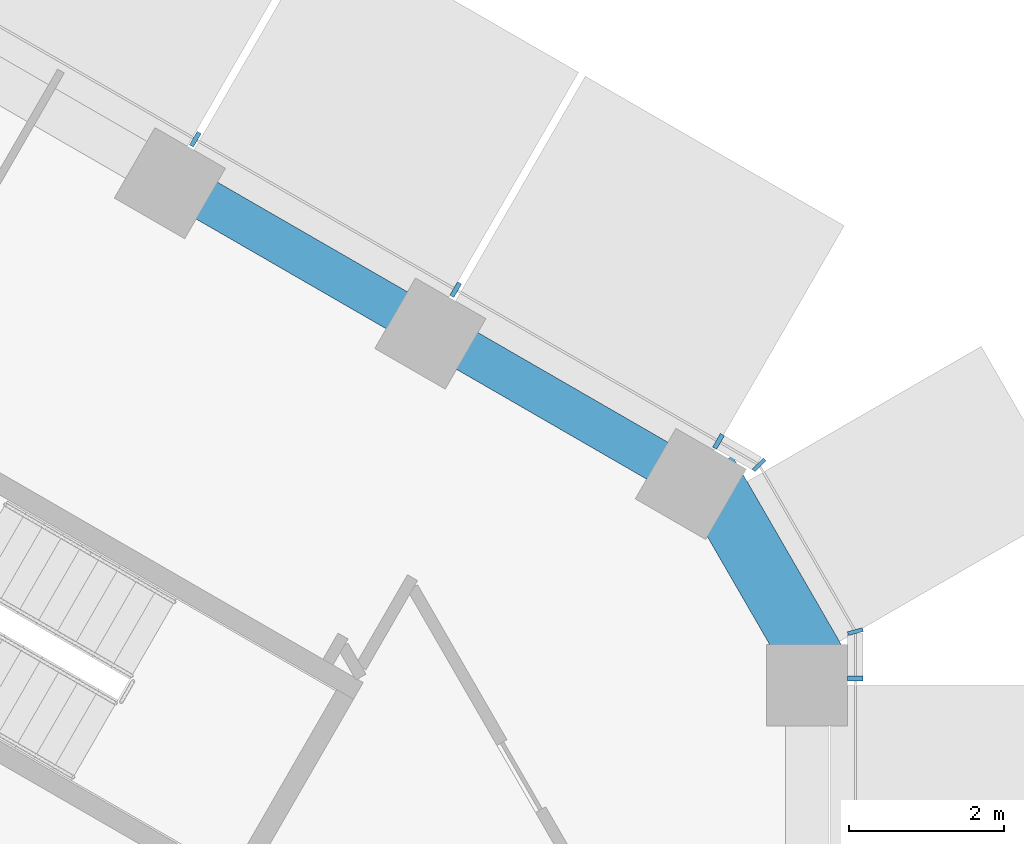
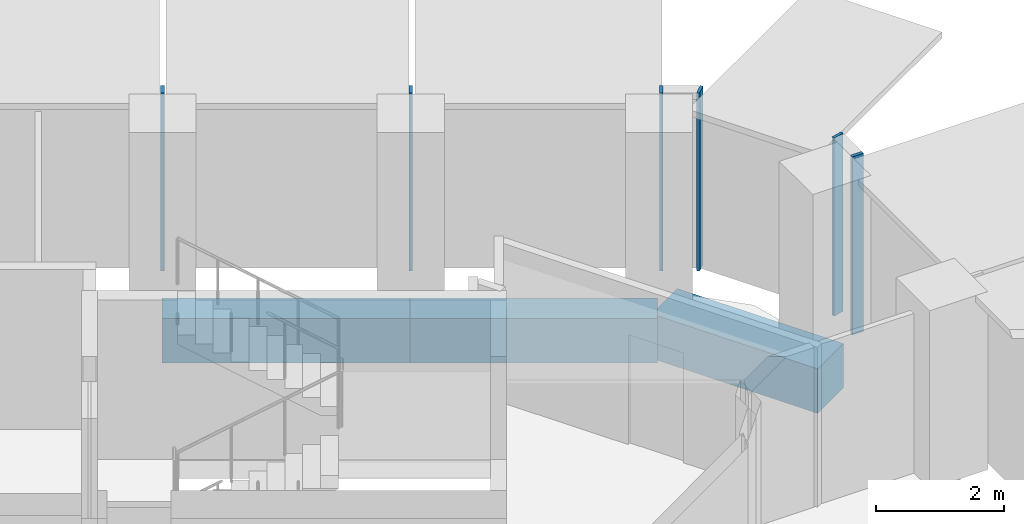
# One storey, part 7 of 19: 6 members, 3 beams, 3 elements without a shape of their own.
"""IFC4 building model written with IfcOpenShell, lengths in metres."""

from ifc_helpers import new_model, si_unit, direction, frame, origin, origin_2d, place, context, subcontext, project, spatial, rectangle, extrude, material, layer, layer_set, material_profile, profile_set, type_object, element, aggregate, save


model = new_model("IFC4")

# Units and contexts
model_context = context("Model", 3, precision=1e-05, world=origin(), true_north=direction((0.0, 1.0)))
body_context = subcontext(model_context, "Body", "Model", "MODEL_VIEW")
ifc_project = project(units=[si_unit("LENGTHUNIT", "METRE"), si_unit("AREAUNIT", "SQUARE_METRE"), si_unit("VOLUMEUNIT", "CUBIC_METRE"), si_unit("PLANEANGLEUNIT", "RADIAN"), si_unit("MASSUNIT", "GRAM", prefix="KILO")], contexts=[model_context])

# Site, building, storey
site_placement = place(None, origin())
site = spatial("IfcSite", under=ifc_project, at=site_placement, CompositionType="ELEMENT")
building_placement = place(site_placement, origin())
building = spatial("IfcBuilding", under=site, at=building_placement, Name="Ayvan Gate Tower", CompositionType="ELEMENT")
storey_placement = place(building_placement, frame((0.0, 0.0, 100.10009765625)))
storey = spatial("IfcBuildingStorey", under=building, at=storey_placement, Name="L26", CompositionType="ELEMENT", Elevation=100.10009765625)

# Beams
ifc_material_1 = material(Name="Concrete C40/50", Category="concrete")
ifc_material_profile_1 = material_profile(ifc_material_1, rectangle(XDim=0.800048828125, YDim=0.85009765625, at=origin_2d()), Name="RC 800x850")
ifc_profile_set_1 = profile_set([ifc_material_profile_1], Name="Concrete C40/50")
beam_type_1 = type_object("IfcBeamType", Name="Corner spandrel beam RC 800x850 C40/50", PredefinedType="BEAM", material=ifc_profile_set_1)
beam_placement = place(storey_placement, frame((19.676025390625, 9.301025390625, -0.775146484375), z_axis=(-0.50002537861, 0.866010750942, 0.0), x_axis=(-0.866010750942, -0.50002537861, 0.0)))
element("IfcBeam", 1, at=beam_placement, inside=storey, type_object=beam_type_1, Name="SB-L26-6", PredefinedType="BEAM", context=body_context, shape_type="SweptSolid", body=[
    extrude(rectangle(XDim=0.800048828125, YDim=0.85009765625, at=origin_2d()), origin(), (0.0, 0.0, 1.0), 2.999755859375),
])
ifc_material_profile_2 = material_profile(ifc_material_1, rectangle(XDim=0.550048828125, YDim=0.85009765625, at=origin_2d()), Name="RC 550x850")
ifc_profile_set_2 = profile_set([ifc_material_profile_2], Name="Concrete C40/50")
beam_type_2 = type_object("IfcBeamType", Name="Spandrel beam RC 550x850 C40/50", PredefinedType="BEAM", material=ifc_profile_set_2)
for number, where, z_axis, x_axis, name in (
    (2, (17.985595703125, 11.7890625, -0.775146484375), (-0.866027059381, 0.499997132412, 0.0), (-0.499997132412, -0.866027059381, 0.0), "SB-L26-7"),
    (3, (14.6318359375, 13.725341796875, -0.775146484375), (-0.866027059381, 0.499997132412, 0.0), (-0.499997132412, -0.866027059381, 0.0), "SB-L26-8"),
):
    element("IfcBeam", number, at=place(storey_placement, frame(where, z_axis=z_axis, x_axis=x_axis)), inside=storey, type_object=beam_type_2, Name=name, PredefinedType="BEAM", context=body_context, shape_type="SweptSolid", body=[
        extrude(rectangle(XDim=0.550048828125, YDim=0.85009765625, at=origin_2d()), origin(), (0.0, 0.0, 1.0), 3.87255859375),
    ])

# Curtain wall, member
ifc_material_2 = material(Name="Bronze anodised aluminium", Category="aluminium")
ifc_layer_1 = layer(ifc_material_2, 0.199951171875)
ifc_layer_set_1 = layer_set([ifc_layer_1], Name="Bronze anodised aluminium")
curtain_wall_type_1 = type_object("IfcCurtainWallType", Name="Stick curtain wall CW-1", PredefinedType="NOTDEFINED", material=ifc_layer_set_1)
curtain_wall_1_placement = place(storey_placement, origin())
curtain_wall_1 = element("IfcCurtainWall", 4, at=curtain_wall_1_placement, inside=storey, type_object=curtain_wall_type_1, Name="Stick curtain wall CW-1 L26", PredefinedType="NOTDEFINED")
ifc_material_profile_3 = material_profile(ifc_material_2, rectangle(XDim=0.199951171875, YDim=0.06005859375, at=origin_2d()), Name="Stick curtain wall CW-1 mullion 200 x 60")
ifc_profile_set_3 = profile_set([ifc_material_profile_3], Name="Bronze anodised aluminium")
member_type_1 = type_object("IfcMemberType", Name="Stick curtain wall CW-1 mullion 200 x 60", PredefinedType="MULLION", material=ifc_profile_set_3)
member_1_placement = place(storey_placement, frame((20.110595703125, 9.2275390625, 0.0), z_axis=(0.0, 0.0, 1.0), x_axis=(1.0, 0.0, 0.0)))
member_1 = element("IfcMember", 5, at=member_1_placement, type_object=member_type_1, Name="CW-1 mullion 6", PredefinedType="MULLION", context=body_context, shape_type="SweptSolid", body=[
    extrude(rectangle(XDim=0.199951171875, YDim=0.06005859375, at=origin_2d()), origin(), (0.0, 0.0, 1.0), 3.39990234375),
])
aggregate(curtain_wall_1, [member_1])

# Curtain wall, members
curtain_wall_2_placement = place(storey_placement, origin())
curtain_wall_2 = element("IfcCurtainWall", 6, at=curtain_wall_2_placement, inside=storey, type_object=curtain_wall_type_1, Name="Stick curtain wall CW-1 L26", PredefinedType="NOTDEFINED")
member_2_placement = place(storey_placement, frame((18.34326171875, 12.28857421875, 0.0), z_axis=(0.0, 0.0, 1.0), x_axis=(0.5, 0.866025403784, 0.0)))
member_2 = element("IfcMember", 7, at=member_2_placement, type_object=member_type_1, Name="CW-1 mullion 1", PredefinedType="MULLION", context=body_context, shape_type="SweptSolid", body=[
    extrude(rectangle(XDim=0.199951171875, YDim=0.06005859375, at=origin_2d()), origin(), (0.0, 0.0, 1.0), 3.39990234375),
])
member_3_placement = place(storey_placement, frame((14.9501953125, 14.24755859375, 0.0), z_axis=(0.0, 0.0, 1.0), x_axis=(0.5, 0.866025403784, 0.0)))
member_3 = element("IfcMember", 8, at=member_3_placement, type_object=member_type_1, Name="CW-1 mullion 2", PredefinedType="MULLION", context=body_context, shape_type="SweptSolid", body=[
    extrude(rectangle(XDim=0.199951171875, YDim=0.06005859375, at=origin_2d()), origin(), (0.0, 0.0, 1.0), 3.39990234375),
])
member_4_placement = place(storey_placement, frame((11.58837890625, 16.1884765625, 0.0), z_axis=(0.0, 0.0, 1.0), x_axis=(0.5, 0.866025403784, 0.0)))
member_4 = element("IfcMember", 9, at=member_4_placement, type_object=member_type_1, Name="CW-1 mullion 3", PredefinedType="MULLION", context=body_context, shape_type="SweptSolid", body=[
    extrude(rectangle(XDim=0.199951171875, YDim=0.06005859375, at=origin_2d()), origin(), (0.0, 0.0, 1.0), 3.39990234375),
])
aggregate(curtain_wall_2, [member_2, member_3, member_4])

ifc_layer_2 = layer(ifc_material_2, 0.199951171875)
ifc_layer_set_2 = layer_set([ifc_layer_2], Name="Bronze anodised aluminium")
curtain_wall_type_2 = type_object("IfcCurtainWallType", Name="Stick curtain wall CW-6", PredefinedType="NOTDEFINED", material=ifc_layer_set_2)
curtain_wall_3_placement = place(storey_placement, origin())
curtain_wall_3 = element("IfcCurtainWall", 10, at=curtain_wall_3_placement, inside=storey, type_object=curtain_wall_type_2, Name="Stick curtain wall CW-6 L26", PredefinedType="NOTDEFINED")
ifc_material_profile_4 = material_profile(ifc_material_2, rectangle(XDim=0.199951171875, YDim=0.050048828125, at=origin_2d()), Name="Stick curtain wall CW-6 mullion 200 x 50")
ifc_profile_set_4 = profile_set([ifc_material_profile_4], Name="Bronze anodised aluminium")
member_type_2 = type_object("IfcMemberType", Name="Stick curtain wall CW-6 mullion 200 x 50", PredefinedType="MULLION", material=ifc_profile_set_4)
member_5_placement = place(storey_placement, frame((20.110595703125, 9.83251953125, 0.0), z_axis=(0.0, 0.0, 1.0), x_axis=(0.965925826289, 0.258819045103, 0.0)))
member_5 = element("IfcMember", 11, at=member_5_placement, type_object=member_type_2, Name="CW-6 mullion 2", PredefinedType="MULLION", context=body_context, shape_type="SweptSolid", body=[
    extrude(rectangle(XDim=0.199951171875, YDim=0.050048828125, at=origin_2d()), origin(), (0.0, 0.0, 1.0), 3.39990234375),
])
member_6_placement = place(storey_placement, frame((18.8671875, 11.986083984375, 0.0), z_axis=(0.0, 0.0, 1.0), x_axis=(0.707106781187, 0.707106781187, 0.0)))
member_6 = element("IfcMember", 12, at=member_6_placement, type_object=member_type_2, Name="CW-6 mullion 3", PredefinedType="MULLION", context=body_context, shape_type="SweptSolid", body=[
    extrude(rectangle(XDim=0.199951171875, YDim=0.050048828125, at=origin_2d()), origin(), (0.0, 0.0, 1.0), 3.39990234375),
])
aggregate(curtain_wall_3, [member_5, member_6])

save(model, "model.ifc")
